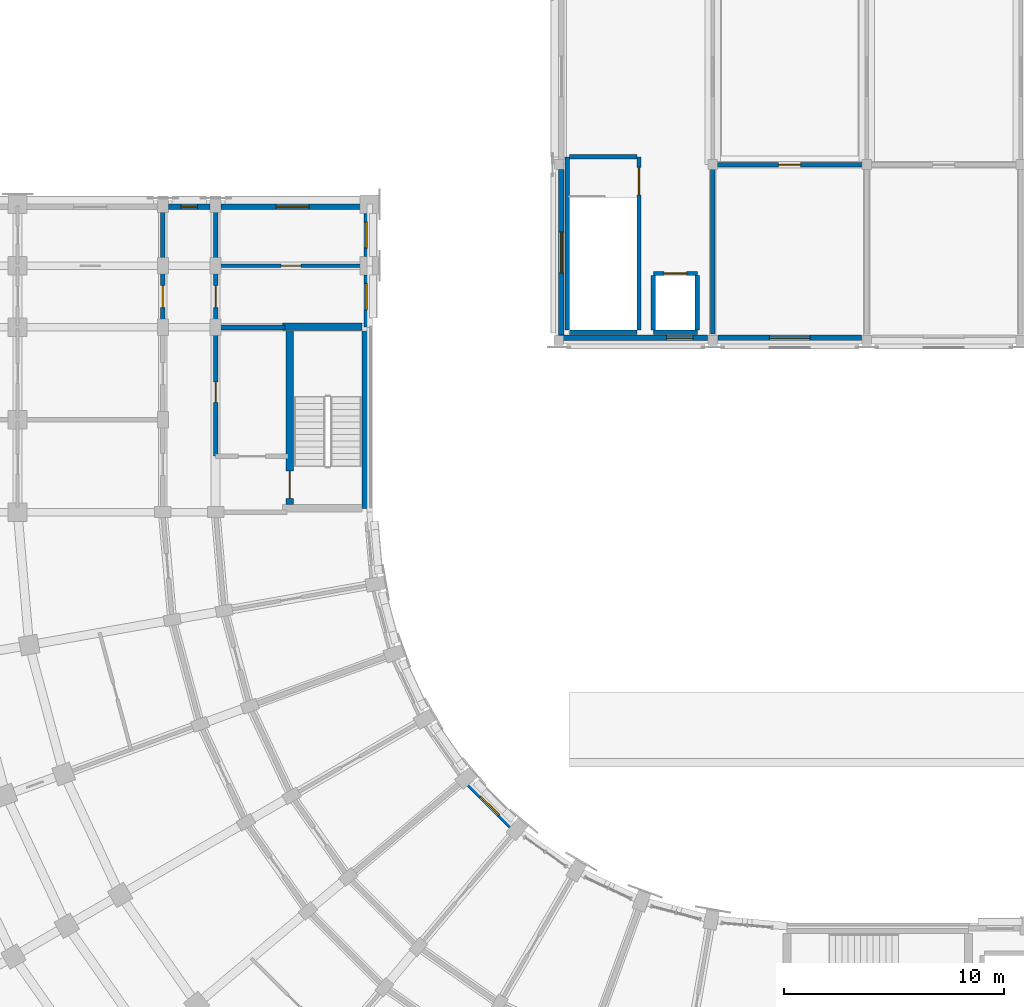
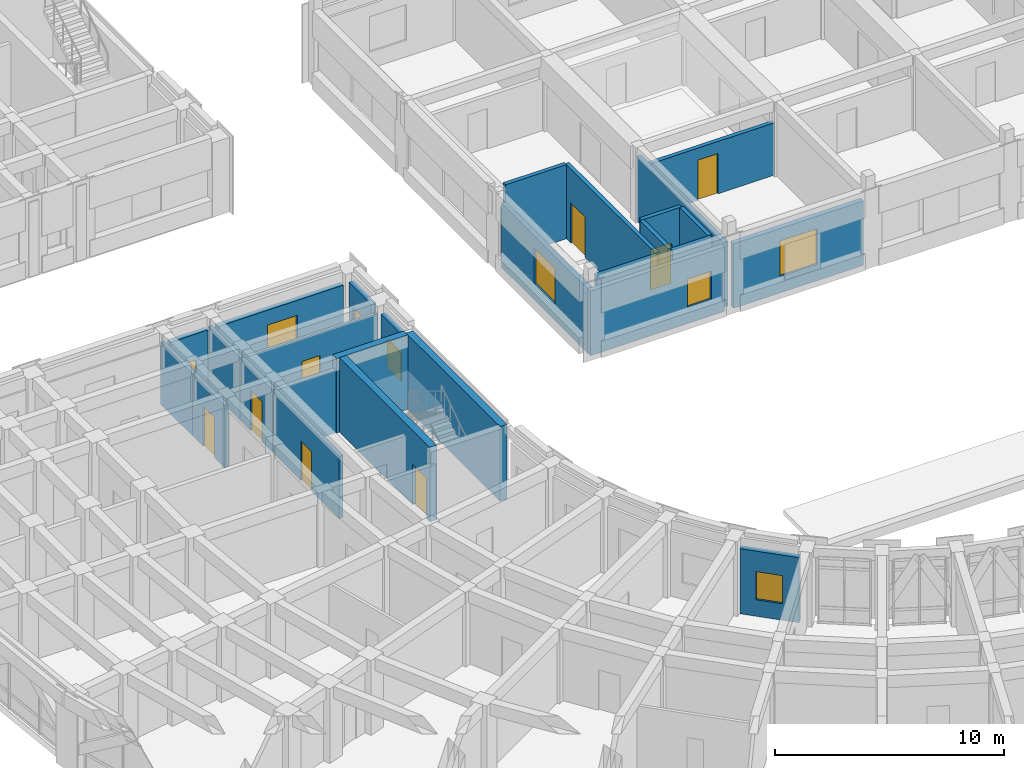
# One storey, part 61 of 97: 28 walls, 8 doors, 8 windows, 16 openings.
"""IFC4 building model written with IfcOpenShell, lengths in metres."""

import ifcopenshell
import ifcopenshell.guid

model = None  # the IFC model being written
_history = None  # IfcOwnerHistory: only IFC2X3 demands one
_inside = {}  # id of a spatial element -> (the spatial element, [elements in it])
_under = {}  # id of a project, library or spatial element -> (it, [spatial elements below it])
_declared = {}  # id of a project -> (the project, [libraries it declares])
_typed = {}  # id of a type object -> (the type object, [elements of that type])
_made_of = {}  # id of a material, layer set ... -> (it, [elements and type objects made of it])


def new_model(schema):
    """Start an empty IFC model of exactly this schema.

    Asked for "IFC4X3", IfcOpenShell would pick the latest addendum, in which some entities
    have other attributes; the version numbers below select the first issue.
    IFC2X3 requires an IfcOwnerHistory on every rooted entity: one is made here for all.
    """
    global model, _history
    if schema == "IFC4X3":
        model = ifcopenshell.file(schema_version=(4, 3, 0, 0))
    else:
        model = ifcopenshell.file(schema=schema)
    _inside.clear()
    _under.clear()
    _declared.clear()
    _typed.clear()
    _made_of.clear()
    _history = None
    if model.schema == "IFC2X3":
        org = make("IfcOrganization", Name="unknown")
        user = make(
            "IfcPersonAndOrganization",
            ThePerson=make("IfcPerson", FamilyName="unknown"),
            TheOrganization=org,
        )
        app = make(
            "IfcApplication",
            ApplicationDeveloper=org,
            Version="unknown",
            ApplicationFullName="unknown",
            ApplicationIdentifier="unknown",
        )
        _history = make(
            "IfcOwnerHistory",
            OwningUser=user,
            OwningApplication=app,
            ChangeAction="ADDED",
            CreationDate=0,
        )
    return model


def make(cls, **values):
    """One entity of the class cls with the attributes given. An attribute that is None is left unset."""
    return model.create_entity(
        cls, **{name: value for name, value in values.items() if value is not None}
    )


def rooted(cls, **values):
    """An entity with a GlobalId (a new one), such as an element, a storey or a relation."""
    return make(cls, GlobalId=ifcopenshell.guid.new(), OwnerHistory=_history, **values)


def si_unit(unit_type, name, prefix=None):
    """IfcSIUnit, for example si_unit("LENGTHUNIT", "METRE", prefix="MILLI")."""
    return make("IfcSIUnit", UnitType=unit_type, Prefix=prefix, Name=name)


def assignment(units):
    """IfcUnitAssignment: the units of a project."""
    return None if units is None else make("IfcUnitAssignment", Units=units)


def point(xyz):
    """IfcCartesianPoint."""
    return None if xyz is None else make("IfcCartesianPoint", Coordinates=xyz)


def direction(xyz):
    """IfcDirection."""
    return None if xyz is None else make("IfcDirection", DirectionRatios=xyz)


def frame(location, z_axis=None, x_axis=None):
    """IfcAxis2Placement3D, a coordinate frame: its origin and axes. An axis left out is left unset."""
    return make(
        "IfcAxis2Placement3D",
        Location=point(location),
        Axis=direction(z_axis),
        RefDirection=direction(x_axis),
    )


def frame_2d(location, x_axis=None):
    """IfcAxis2Placement2D, a coordinate frame in the plane: its origin and x axis."""
    return make(
        "IfcAxis2Placement2D", Location=point(location), RefDirection=direction(x_axis)
    )


def origin():
    """The frame at (0, 0, 0) with its axes left unset."""
    return frame((0.0, 0.0, 0.0))


def place(relative_to, where):
    """IfcLocalPlacement: puts the frame where relative to a parent placement (None: the world)."""
    return make(
        "IfcLocalPlacement", PlacementRelTo=relative_to, RelativePlacement=where
    )


def context(
    kind, dimensions, precision=None, world=None, true_north=None, identifier=None
):
    """IfcGeometricRepresentationContext, for example the 3D "Model" context."""
    return make(
        "IfcGeometricRepresentationContext",
        ContextIdentifier=identifier,
        ContextType=kind,
        CoordinateSpaceDimension=dimensions,
        Precision=precision,
        WorldCoordinateSystem=world,
        TrueNorth=true_north,
    )


def subcontext(parent, identifier, kind, view, scale=None):
    """IfcGeometricRepresentationSubContext, for example "Body" below "Model"."""
    return make(
        "IfcGeometricRepresentationSubContext",
        ContextIdentifier=identifier,
        ContextType=kind,
        ParentContext=parent,
        TargetScale=scale,
        TargetView=view,
    )


def project(units=None, contexts=None):
    """IfcProject with its units and contexts."""
    return rooted(
        "IfcProject",
        Name="project",
        RepresentationContexts=contexts,
        UnitsInContext=assignment(units),
    )


def spatial(cls, under=None, at=None, **own):
    """A site, building, storey or space (cls), placed at a placement, below another one or the project."""
    s = rooted(cls, ObjectPlacement=at, **own)
    if under is not None:
        _under.setdefault(under.id(), (under, []))[1].append(s)
    return s


def profile(cls, at=None, kind="AREA", **sizes):
    """A parametric profile (cls). Its sizes go by their IFC names, for example OverallWidth=200.0."""
    return make(cls, ProfileType=kind, Position=at, **sizes)


def rectangle(**sizes):
    """IfcRectangleProfileDef."""
    return profile("IfcRectangleProfileDef", **sizes)


def extrude(swept, where, along, depth):
    """IfcExtrudedAreaSolid: the profile swept, set in the frame where, extruded along a direction by depth."""
    return make(
        "IfcExtrudedAreaSolid",
        SweptArea=swept,
        Position=where,
        ExtrudedDirection=direction(along),
        Depth=depth,
    )


def shape(context_of_items, identifier, shape_type, items):
    """IfcShapeRepresentation: the items that make up one representation, for example the "Body"."""
    return make(
        "IfcShapeRepresentation",
        ContextOfItems=context_of_items,
        RepresentationIdentifier=identifier,
        RepresentationType=shape_type,
        Items=items,
    )


def material(Name=None, Category=None):
    """IfcMaterial."""
    return make("IfcMaterial", Name=Name, Category=Category)


def layer(
    of_material, thickness, ventilated=None, Name=None, Category=None, Priority=None
):
    """IfcMaterialLayer: one layer of a wall or slab, of a material (None: an air gap)."""
    return make(
        "IfcMaterialLayer",
        Material=of_material,
        LayerThickness=thickness,
        IsVentilated=ventilated,
        Name=Name,
        Category=Category,
        Priority=Priority,
    )


def layer_set(layers, Name=None):
    """IfcMaterialLayerSet."""
    return make("IfcMaterialLayerSet", MaterialLayers=layers, LayerSetName=Name)


def made_of(thing, what):
    """Note that an element or type object is made of a material, layer set ...; save() writes the relation."""
    if what is not None:
        _made_of.setdefault(what.id(), (what, []))[1].append(thing)
    return thing


def type_object(cls, material=None, **own):
    """A type object (cls), such as IfcWallType, which elements share."""
    return made_of(rooted(cls, **own), material)


def element(
    cls,
    number,
    at=None,
    inside=None,
    cuts=None,
    type_object=None,
    material=None,
    context=None,
    identifier="Body",
    shape_type=None,
    held_by="IfcProductDefinitionShape",
    body=None,
    shapes=None,
    **own,
):
    """One element of the class cls, such as IfcWall. Its Tag is "e" and its number.

    at: its placement. inside: the storey or other place that contains it. cuts: it is an
    opening in that element (IfcRelVoidsElement). A single representation is given by context,
    identifier, shape_type and body (its items); several are given by shapes. held_by: the class
    of the entity that holds the representations. save() writes the other relations.
    """
    e = rooted(cls, Tag="e%d" % number, ObjectPlacement=at, **own)
    if body is not None:
        shapes = [shape(context, identifier, shape_type, body)]
    if shapes is not None:
        e.Representation = make(held_by, Representations=shapes)
    if inside is not None:
        _inside.setdefault(inside.id(), (inside, []))[1].append(e)
    if cuts is not None:
        rooted(
            "IfcRelVoidsElement", RelatingBuildingElement=cuts, RelatedOpeningElement=e
        )
    if type_object is not None:
        _typed.setdefault(type_object.id(), (type_object, []))[1].append(e)
    return made_of(e, material)


def fill(opening, filler):
    """IfcRelFillsElement: the door or window that sits in an opening."""
    return rooted(
        "IfcRelFillsElement",
        RelatingOpeningElement=opening,
        RelatedBuildingElement=filler,
    )


def aggregate(whole, parts):
    """IfcRelAggregates: a whole, such as a stair, and the parts it consists of."""
    return rooted("IfcRelAggregates", RelatingObject=whole, RelatedObjects=parts)


def save(model, path):
    """Write the relations noted so far, then the file.

    IfcRelAggregates (storeys below a building ...), IfcRelContainedInSpatialStructure (elements
    in a storey), IfcRelDefinesByType, IfcRelAssociatesMaterial and IfcRelDeclares: one each for
    every whole, place, type object, material and project.
    """
    for whole, parts in _under.values():
        aggregate(whole, parts)
    for where, things in _inside.values():
        rooted(
            "IfcRelContainedInSpatialStructure",
            RelatedElements=things,
            RelatingStructure=where,
        )
    for kind, things in _typed.values():
        rooted("IfcRelDefinesByType", RelatedObjects=things, RelatingType=kind)
    for what, things in _made_of.values():
        rooted("IfcRelAssociatesMaterial", RelatedObjects=things, RelatingMaterial=what)
    for by, libraries in _declared.values():
        rooted("IfcRelDeclares", RelatingContext=by, RelatedDefinitions=libraries)
    model.write(path)


model = new_model("IFC4")

# Units and contexts
model_context = context("Model", 3, precision=1e-05, world=origin(), true_north=direction((0.0, 1.0)))
body_context = subcontext(model_context, "Body", "Model", "MODEL_VIEW")
ifc_project = project(units=[si_unit("LENGTHUNIT", "METRE"), si_unit("AREAUNIT", "SQUARE_METRE"), si_unit("VOLUMEUNIT", "CUBIC_METRE"), si_unit("PLANEANGLEUNIT", "RADIAN"), si_unit("MASSUNIT", "GRAM", prefix="KILO")], contexts=[model_context])

# Site, building, storey
site_placement = place(None, origin())
site = spatial("IfcSite", under=ifc_project, at=site_placement, CompositionType="ELEMENT")
building_placement = place(site_placement, origin())
building = spatial("IfcBuilding", under=site, at=building_placement, Name="Kiranvali Square Residences", CompositionType="ELEMENT")
storey_placement = place(building_placement, frame((0.0, 0.0, 4.5)))
storey = spatial("IfcBuildingStorey", under=building, at=storey_placement, Name="L01", CompositionType="ELEMENT", Elevation=4.5)

# Wall, opening, door
ifc_material_1 = material(Name="Autoclaved aerated concrete blockwork masonry", Category="masonry")
ifc_layer_1 = layer(ifc_material_1, 0.199951171875)
ifc_layer_set_1 = layer_set([ifc_layer_1], Name="Autoclaved aerated concrete blockwork masonry")
wall_type_1 = type_object("IfcWallType", Name="WL-COR-200", PredefinedType="STANDARD", material=ifc_layer_set_1)
wall_1_placement = place(storey_placement, frame((22.39990234375, 50.75, 0.0), z_axis=(0.0, 0.0, 1.0), x_axis=(0.0, 1.0, 0.0)))
wall_1 = element("IfcWall", 1, at=wall_1_placement, inside=storey, type_object=wall_type_1, Name="L01 architectural wall WL-L01-C-S3-COR", PredefinedType="STANDARD", context=body_context, shape_type="SweptSolid", body=[
    extrude(rectangle(XDim=5.800048828125, YDim=0.199951171875, at=frame_2d((2.89990234375, 0.0))), origin(), (0.0, 0.0, 1.0), 3.322021484375),
])
opening_1_placement = place(wall_1_placement, frame((2.43994140625, 0.0, 0.0)))
opening_1 = element("IfcOpeningElement", 2, at=opening_1_placement, cuts=wall_1, Name="Opening FD-SVC-120", PredefinedType="OPENING", context=body_context, shape_type="SweptSolid", body=[
    extrude(rectangle(XDim=0.919921875, YDim=2.10009765625, at=frame_2d((0.4599609375, 1.050048828125))), frame((0.0, 0.10986328125, 0.0), z_axis=(0.0, -1.0, 0.0), x_axis=(1.0, 0.0, 0.0)), (0.0, 0.0, 1.0), 0.219970703125),
])
ifc_material_2 = material(Name="Fire-rated acoustic hardwood and mineral-core door assembly", Category="wood")
door_type_1 = type_object("IfcDoorType", Name="DR-SVC-900", OperationType="NOTDEFINED", PredefinedType="DOOR", material=ifc_material_2)
door_1_placement = place(opening_1_placement, origin())
door_1 = element("IfcDoor", 3, at=door_1_placement, inside=storey, type_object=door_type_1, Name="L01 door DR-L01-1797 (DR-SVC-900)", OperationType="SINGLE_SWING_LEFT", OverallHeight=2.10009765625, OverallWidth=0.919921875, PredefinedType="DOOR", context=body_context, shape_type="SweptSolid", body=[
    extrude(rectangle(XDim=0.919921875, YDim=2.10009765625, at=frame_2d((0.4599609375, 1.050048828125))), frame((0.0, 0.02490234375, 0.0), z_axis=(0.0, -1.0, 0.0), x_axis=(1.0, 0.0, 0.0)), (0.0, 0.0, 1.0), 0.050048828125),
])
fill(opening_1, door_1)

wall_2_placement = place(storey_placement, frame((22.39990234375, 56.60009765625, 0.0), z_axis=(0.0, 0.0, 1.0), x_axis=(0.0, 1.0, 0.0)))
wall_2 = element("IfcWall", 4, at=wall_2_placement, inside=storey, type_object=wall_type_1, Name="L01 architectural wall WL-L01-C-A2CI-0", PredefinedType="STANDARD", context=body_context, shape_type="SweptSolid", body=[
    extrude(rectangle(XDim=2.7998046875, YDim=0.199951171875, at=frame_2d((1.39990234375, 0.0))), origin(), (0.0, 0.0, 1.0), 3.322021484375),
])
opening_2_placement = place(wall_2_placement, frame((0.89990234375, 0.0, 0.0)))
opening_2 = element("IfcOpeningElement", 5, at=opening_2_placement, cuts=wall_2, Name="Opening FD-APT-60", PredefinedType="OPENING", context=body_context, shape_type="SweptSolid", body=[
    extrude(rectangle(XDim=1.0, YDim=2.14990234375, at=frame_2d((0.5, 1.074951171875))), frame((0.0, 0.10986328125, 0.0), z_axis=(0.0, -1.0, 0.0), x_axis=(1.0, 0.0, 0.0)), (0.0, 0.0, 1.0), 0.219970703125),
])
door_type_2 = type_object("IfcDoorType", Name="DR-APT-1000", OperationType="NOTDEFINED", PredefinedType="DOOR", material=ifc_material_2)
door_2_placement = place(opening_2_placement, origin())
door_2 = element("IfcDoor", 6, at=door_2_placement, inside=storey, type_object=door_type_2, Name="L01 door DR-L01-1839 (DR-APT-1000)", OperationType="SINGLE_SWING_LEFT", OverallHeight=2.14990234375, OverallWidth=1.0, PredefinedType="DOOR", context=body_context, shape_type="SweptSolid", body=[
    extrude(rectangle(XDim=1.0, YDim=2.14990234375, at=frame_2d((0.5, 1.074951171875))), frame((0.0, 0.02490234375, 0.0), z_axis=(0.0, -1.0, 0.0), x_axis=(1.0, 0.0, 0.0)), (0.0, 0.0, 1.0), 0.050048828125),
])
fill(opening_2, door_2)

wall_3_placement = place(storey_placement, frame((20.0, 56.60009765625, 0.0), z_axis=(0.0, 0.0, 1.0), x_axis=(0.0, 1.0, 0.0)))
wall_3 = element("IfcWall", 7, at=wall_3_placement, inside=storey, type_object=wall_type_1, Name="L01 architectural wall WL-L01-C-A2CO-0", PredefinedType="STANDARD", context=body_context, shape_type="SweptSolid", body=[
    extrude(rectangle(XDim=2.7998046875, YDim=0.199951171875, at=frame_2d((1.39990234375, 0.0))), origin(), (0.0, 0.0, 1.0), 3.322021484375),
])
opening_3_placement = place(wall_3_placement, frame((0.89990234375, 0.0, 0.0)))
opening_3 = element("IfcOpeningElement", 8, at=opening_3_placement, cuts=wall_3, Name="Opening FD-APT-60", PredefinedType="OPENING", context=body_context, shape_type="SweptSolid", body=[
    extrude(rectangle(XDim=1.0, YDim=2.14990234375, at=frame_2d((0.5, 1.074951171875))), frame((0.0, 0.10986328125, 0.0), z_axis=(0.0, -1.0, 0.0), x_axis=(1.0, 0.0, 0.0)), (0.0, 0.0, 1.0), 0.219970703125),
])
door_3_placement = place(opening_3_placement, origin())
door_3 = element("IfcDoor", 9, at=door_3_placement, inside=storey, type_object=door_type_2, Name="L01 door DR-L01-1841 (DR-APT-1000)", OperationType="SINGLE_SWING_LEFT", OverallHeight=2.14990234375, OverallWidth=1.0, PredefinedType="DOOR", context=body_context, shape_type="SweptSolid", body=[
    extrude(rectangle(XDim=1.0, YDim=2.14990234375, at=frame_2d((0.5, 1.074951171875))), frame((0.0, 0.02490234375, 0.0), z_axis=(0.0, -1.0, 0.0), x_axis=(1.0, 0.0, 0.0)), (0.0, 0.0, 1.0), 0.050048828125),
])
fill(opening_3, door_3)

# Walls
for number, where, z_axis, x_axis, name in (
    (10, (22.39990234375, 59.39990234375, 0.0), (0.0, 0.0, 1.0), (0.0, 1.0, 0.0), "L01 architectural wall WL-L01-C-A2CI-1"),
    (11, (20.0, 59.39990234375, 0.0), (0.0, 0.0, 1.0), (0.0, 1.0, 0.0), "L01 architectural wall WL-L01-C-A2CO-1"),
):
    element("IfcWall", number, at=place(storey_placement, frame(where, z_axis=z_axis, x_axis=x_axis)), inside=storey, type_object=wall_type_1, Name=name, PredefinedType="STANDARD", context=body_context, shape_type="SweptSolid", body=[
        extrude(rectangle(XDim=2.800048828125, YDim=0.199951171875, at=frame_2d((1.39990234375, 0.0))), origin(), (0.0, 0.0, 1.0), 3.322021484375),
    ])

# Wall, opening, door
wall_4_placement = place(storey_placement, frame((45.14990234375, 64.0, 0.0), z_axis=(0.0, 0.0, 1.0), x_axis=(1.0, 0.0, 0.0)))
wall_4 = element("IfcWall", 12, at=wall_4_placement, inside=storey, type_object=wall_type_1, Name="L01 architectural wall WL-NR-L01-Y0-1", PredefinedType="STANDARD", context=body_context, shape_type="SweptSolid", body=[
    extrude(rectangle(XDim=6.7001953125, YDim=0.199951171875, at=frame_2d((3.35009765625, 0.0))), origin(), (0.0, 0.0, 1.0), 2.7919921875),
])
opening_4_placement = place(wall_4_placement, frame((2.85009765625, 0.0, 0.0)))
opening_4 = element("IfcOpeningElement", 13, at=opening_4_placement, cuts=wall_4, Name="Opening FD-APT-60", PredefinedType="OPENING", context=body_context, shape_type="SweptSolid", body=[
    extrude(rectangle(XDim=1.0, YDim=2.14990234375, at=frame_2d((0.5, 1.074951171875))), frame((0.0, 0.10986328125, 0.0), z_axis=(0.0, -1.0, 0.0), x_axis=(1.0, 0.0, 0.0)), (0.0, 0.0, 1.0), 0.219970703125),
])
door_4_placement = place(opening_4_placement, frame((1.0, 0.0, 0.0), z_axis=(0.0, 0.0, 1.0), x_axis=(-1.0, 0.0, 0.0)))
door_4 = element("IfcDoor", 14, at=door_4_placement, inside=storey, type_object=door_type_2, Name="L01 door DR-L01-2322 (DR-APT-1000)", OperationType="SINGLE_SWING_RIGHT", OverallHeight=2.14990234375, OverallWidth=1.0, PredefinedType="DOOR", context=body_context, shape_type="SweptSolid", body=[
    extrude(rectangle(XDim=1.0, YDim=2.14990234375, at=frame_2d((0.5, 1.074951171875))), frame((0.0, 0.02490234375, 0.0), z_axis=(0.0, -1.0, 0.0), x_axis=(1.0, 0.0, 0.0)), (0.0, 0.0, 1.0), 0.050048828125),
])
fill(opening_4, door_4)

# Walls
ifc_layer_2 = layer(ifc_material_1, 0.219970703125)
ifc_layer_set_2 = layer_set([ifc_layer_2], Name="Autoclaved aerated concrete blockwork masonry")
wall_type_2 = type_object("IfcWallType", Name="WL-DEM-220", PredefinedType="STANDARD", material=ifc_layer_set_2)
wall_5_placement = place(storey_placement, frame((25.550048828125, 56.60009765625, 0.0), z_axis=(0.0, 0.0, 1.0), x_axis=(-1.0, 0.0, 0.0)))
element("IfcWall", 15, at=wall_5_placement, inside=storey, type_object=wall_type_2, Name="L01 architectural wall WL-L01-C-A2TI-0", PredefinedType="STANDARD", context=body_context, shape_type="SweptSolid", body=[
    extrude(rectangle(XDim=3.10009765625, YDim=0.219970703125, at=frame_2d((1.550048828125, 0.0))), origin(), (0.0, 0.0, 1.0), 3.322021484375),
])
wall_6_placement = place(storey_placement, frame((45.0, 56.300048828125, 0.0), z_axis=(0.0, 0.0, 1.0), x_axis=(0.0, 1.0, 0.0)))
element("IfcWall", 16, at=wall_6_placement, inside=storey, type_object=wall_type_2, Name="L01 architectural wall WL-NR-L01-X1-S", PredefinedType="STANDARD", context=body_context, shape_type="SweptSolid", body=[
    extrude(rectangle(XDim=7.599853515625, YDim=0.219970703125, at=frame_2d((3.7998046875, 0.0))), origin(), (0.0, 0.0, 1.0), 3.44189453125),
])

# Wall, opening, window
ifc_material_3 = material(Name="Breathable lime-rendered clay brick masonry", Category="masonry")
ifc_layer_3 = layer(ifc_material_3, 0.25)
ifc_layer_set_3 = layer_set([ifc_layer_3], Name="Breathable lime-rendered clay brick masonry")
wall_type_3 = type_object("IfcWallType", Name="WL-EXT-250", PredefinedType="STANDARD", material=ifc_layer_set_3)
wall_7_placement = place(storey_placement, frame((35.8125, 33.9248046875, 0.0), z_axis=(0.0, 0.0, 1.0), x_axis=(-0.707106781187, 0.707106781187, 0.0)))
wall_7 = element("IfcWall", 17, at=wall_7_placement, inside=storey, type_object=wall_type_3, Name="L01 exterior wall C-L01-GDN-04", PredefinedType="STANDARD", context=body_context, shape_type="SweptSolid", body=[
    extrude(rectangle(XDim=2.669677734375, YDim=0.25, at=frame_2d((1.3349609375, 0.0))), origin(), (0.0, 0.0, 1.0), 3.471923828125),
])
opening_5_placement = place(wall_7_placement, frame((0.73486328125, 0.0, 0.8798828125)))
opening_5 = element("IfcOpeningElement", 18, at=opening_5_placement, cuts=wall_7, Name="Opening W-06", PredefinedType="OPENING", context=body_context, shape_type="SweptSolid", body=[
    extrude(rectangle(XDim=1.199951171875, YDim=1.5, at=frame_2d((0.60009765625, 0.75))), frame((0.0, 0.135009765625, 0.0), z_axis=(0.0, -1.0, 0.0), x_axis=(1.0, 0.0, 0.0)), (0.0, 0.0, 1.0), 0.27001953125),
])
ifc_material_4 = material(Name="Solar-control low-e double glazing", Category="glass")
window_type_1 = type_object("IfcWindowType", Name="WIN-RES-1200x1500", PartitioningType="SINGLE_PANEL", PredefinedType="WINDOW", material=ifc_material_4)
window_1_placement = place(opening_5_placement, origin())
window_1 = element("IfcWindow", 19, at=window_1_placement, inside=storey, type_object=window_type_1, Name="L01 recessed window C-L01-GDN-04", OverallHeight=1.5, OverallWidth=1.199951171875, PartitioningType="SINGLE_PANEL", PredefinedType="WINDOW", context=body_context, shape_type="SweptSolid", body=[
    extrude(rectangle(XDim=1.199951171875, YDim=1.5, at=frame_2d((0.60009765625, 0.75))), frame((0.0, 0.030029296875, 0.0), z_axis=(0.0, -1.0, 0.0), x_axis=(1.0, 0.0, 0.0)), (0.0, 0.0, 1.0), 0.06005859375),
])
fill(opening_5, window_1)

wall_8_placement = place(storey_placement, frame((29.27490234375, 56.62841796875, 0.0), z_axis=(0.0, 0.0, 1.0), x_axis=(0.0, 1.0, 0.0)))
wall_8 = element("IfcWall", 20, at=wall_8_placement, inside=storey, type_object=wall_type_3, Name="L01 exterior wall C-L01-A2I-0", PredefinedType="STANDARD", context=body_context, shape_type="SweptSolid", body=[
    extrude(rectangle(XDim=2.3515625, YDim=0.25, at=frame_2d((1.17578125, 0.0))), origin(), (0.0, 0.0, 1.0), 3.52197265625),
])
opening_6_placement = place(wall_8_placement, frame((0.771484375, 0.0, 0.8798828125)))
opening_6 = element("IfcOpeningElement", 21, at=opening_6_placement, cuts=wall_8, Name="Opening W-06", PredefinedType="OPENING", context=body_context, shape_type="SweptSolid", body=[
    extrude(rectangle(XDim=1.199951171875, YDim=1.5, at=frame_2d((0.60009765625, 0.75))), frame((0.0, 0.135009765625, 0.0), z_axis=(0.0, -1.0, 0.0), x_axis=(1.0, 0.0, 0.0)), (0.0, 0.0, 1.0), 0.27001953125),
])
window_2_placement = place(opening_6_placement, origin())
window_2 = element("IfcWindow", 22, at=window_2_placement, inside=storey, type_object=window_type_1, Name="L01 recessed window C-L01-A2I-0", OverallHeight=1.5, OverallWidth=1.199951171875, PartitioningType="SINGLE_PANEL", PredefinedType="WINDOW", context=body_context, shape_type="SweptSolid", body=[
    extrude(rectangle(XDim=1.199951171875, YDim=1.5, at=frame_2d((0.60009765625, 0.75))), frame((0.0, 0.030029296875, 0.0), z_axis=(0.0, -1.0, 0.0), x_axis=(1.0, 0.0, 0.0)), (0.0, 0.0, 1.0), 0.06005859375),
])
fill(opening_6, window_2)

wall_9_placement = place(storey_placement, frame((29.27490234375, 59.820068359375, 0.0), z_axis=(0.0, 0.0, 1.0), x_axis=(0.0, 1.0, 0.0)))
wall_9 = element("IfcWall", 23, at=wall_9_placement, inside=storey, type_object=wall_type_3, Name="L01 exterior wall C-L01-A2I-1", PredefinedType="STANDARD", context=body_context, shape_type="SweptSolid", body=[
    extrude(rectangle(XDim=1.9599609375, YDim=0.25, at=frame_2d((0.97998046875, 0.0))), origin(), (0.0, 0.0, 1.0), 3.52197265625),
])
opening_7_placement = place(wall_9_placement, frame((0.3798828125, 0.0, 0.8798828125)))
opening_7 = element("IfcOpeningElement", 24, at=opening_7_placement, cuts=wall_9, Name="Opening W-06", PredefinedType="OPENING", context=body_context, shape_type="SweptSolid", body=[
    extrude(rectangle(XDim=1.199951171875, YDim=1.5, at=frame_2d((0.60009765625, 0.75))), frame((0.0, 0.135009765625, 0.0), z_axis=(0.0, -1.0, 0.0), x_axis=(1.0, 0.0, 0.0)), (0.0, 0.0, 1.0), 0.27001953125),
])
window_3_placement = place(opening_7_placement, origin())
window_3 = element("IfcWindow", 25, at=window_3_placement, inside=storey, type_object=window_type_1, Name="L01 recessed window C-L01-A2I-1", OverallHeight=1.5, OverallWidth=1.199951171875, PartitioningType="SINGLE_PANEL", PredefinedType="WINDOW", context=body_context, shape_type="SweptSolid", body=[
    extrude(rectangle(XDim=1.199951171875, YDim=1.5, at=frame_2d((0.60009765625, 0.75))), frame((0.0, 0.030029296875, 0.0), z_axis=(0.0, -1.0, 0.0), x_axis=(1.0, 0.0, 0.0)), (0.0, 0.0, 1.0), 0.06005859375),
])
fill(opening_7, window_3)

wall_10_placement = place(storey_placement, frame((28.97998046875, 62.074951171875, 0.0), z_axis=(0.0, 0.0, 1.0), x_axis=(-1.0, 0.0, 0.0)))
wall_10 = element("IfcWall", 26, at=wall_10_placement, inside=storey, type_object=wall_type_3, Name="L01 exterior wall C-L01-A2END-0", PredefinedType="STANDARD", context=body_context, shape_type="SweptSolid", body=[
    extrude(rectangle(XDim=6.326416015625, YDim=0.25, at=frame_2d((3.1630859375, 0.0))), origin(), (0.0, 0.0, 1.0), 3.322021484375),
])
opening_8_placement = place(wall_10_placement, frame((2.330078125, 0.0, 0.8798828125)))
opening_8 = element("IfcOpeningElement", 27, at=opening_8_placement, cuts=wall_10, Name="Opening W-05", PredefinedType="OPENING", context=body_context, shape_type="SweptSolid", body=[
    extrude(rectangle(XDim=1.5, YDim=1.64990234375, at=frame_2d((0.75, 0.824951171875))), frame((0.0, 0.135009765625, 0.0), z_axis=(0.0, -1.0, 0.0), x_axis=(1.0, 0.0, 0.0)), (0.0, 0.0, 1.0), 0.27001953125),
])
window_type_2 = type_object("IfcWindowType", Name="WIN-RES-1500x1650", PartitioningType="DOUBLE_PANEL_VERTICAL", PredefinedType="WINDOW", material=ifc_material_4)
window_4_placement = place(opening_8_placement, origin())
window_4 = element("IfcWindow", 28, at=window_4_placement, inside=storey, type_object=window_type_2, Name="L01 recessed window C-L01-A2END-0", OverallHeight=1.64990234375, OverallWidth=1.5, PartitioningType="DOUBLE_PANEL_VERTICAL", PredefinedType="WINDOW", context=body_context, shape_type="SweptSolid", body=[
    extrude(rectangle(XDim=1.5, YDim=1.64990234375, at=frame_2d((0.75, 0.824951171875))), frame((0.0, 0.030029296875, 0.0), z_axis=(0.0, -1.0, 0.0), x_axis=(1.0, 0.0, 0.0)), (0.0, 0.0, 1.0), 0.06005859375),
])
fill(opening_8, window_4)

wall_11_placement = place(storey_placement, frame((22.146484375, 62.074951171875, 0.0), z_axis=(0.0, 0.0, 1.0), x_axis=(-1.0, 0.0, 0.0)))
wall_11 = element("IfcWall", 29, at=wall_11_placement, inside=storey, type_object=wall_type_3, Name="L01 exterior wall C-L01-A2END-1", PredefinedType="STANDARD", context=body_context, shape_type="SweptSolid", body=[
    extrude(rectangle(XDim=1.89306640625, YDim=0.25, at=frame_2d((0.946533203125, 0.0))), origin(), (0.0, 0.0, 1.0), 3.322021484375),
])
opening_9_placement = place(wall_11_placement, frame((0.571533203125, 0.0, 0.8798828125)))
opening_9 = element("IfcOpeningElement", 30, at=opening_9_placement, cuts=wall_11, Name="Opening W-07", PredefinedType="OPENING", context=body_context, shape_type="SweptSolid", body=[
    extrude(rectangle(XDim=0.75, YDim=1.050048828125, at=frame_2d((0.375, 0.52490234375))), frame((0.0, 0.135009765625, 0.0), z_axis=(0.0, -1.0, 0.0), x_axis=(1.0, 0.0, 0.0)), (0.0, 0.0, 1.0), 0.27001953125),
])
window_type_3 = type_object("IfcWindowType", Name="WIN-WET-750x1050", PartitioningType="SINGLE_PANEL", PredefinedType="WINDOW", material=ifc_material_4)
window_5_placement = place(opening_9_placement, origin())
window_5 = element("IfcWindow", 31, at=window_5_placement, inside=storey, type_object=window_type_3, Name="L01 recessed window C-L01-A2END-1", OverallHeight=1.050048828125, OverallWidth=0.75, PartitioningType="SINGLE_PANEL", PredefinedType="WINDOW", context=body_context, shape_type="SweptSolid", body=[
    extrude(rectangle(XDim=0.75, YDim=1.050048828125, at=frame_2d((0.375, 0.52490234375))), frame((0.0, 0.030029296875, 0.0), z_axis=(0.0, -1.0, 0.0), x_axis=(1.0, 0.0, 0.0)), (0.0, 0.0, 1.0), 0.06005859375),
])
fill(opening_9, window_5)

wall_12_placement = place(storey_placement, frame((38.0, 56.125, 0.0), z_axis=(0.0, 0.0, 1.0), x_axis=(1.0, 0.0, 0.0)))
wall_12 = element("IfcWall", 32, at=wall_12_placement, inside=storey, type_object=wall_type_3, Name="L01 exterior wall NR-L01-S-0", PredefinedType="STANDARD", context=body_context, shape_type="SweptSolid", body=[
    extrude(rectangle(XDim=6.771484375, YDim=0.25, at=frame_2d((3.3857421875, 0.0))), origin(), (0.0, 0.0, 1.0), 3.44189453125),
])
opening_10_placement = place(wall_12_placement, frame((4.89990234375, 0.0, 0.8798828125)))
opening_10 = element("IfcOpeningElement", 33, at=opening_10_placement, cuts=wall_12, Name="Opening W-06", PredefinedType="OPENING", context=body_context, shape_type="SweptSolid", body=[
    extrude(rectangle(XDim=1.199951171875, YDim=1.5, at=frame_2d((0.60009765625, 0.75))), frame((0.0, 0.135009765625, 0.0), z_axis=(0.0, -1.0, 0.0), x_axis=(1.0, 0.0, 0.0)), (0.0, 0.0, 1.0), 0.27001953125),
])
window_6_placement = place(opening_10_placement, origin())
window_6 = element("IfcWindow", 34, at=window_6_placement, inside=storey, type_object=window_type_1, Name="L01 recessed window NR-L01-S-0", OverallHeight=1.5, OverallWidth=1.199951171875, PartitioningType="SINGLE_PANEL", PredefinedType="WINDOW", context=body_context, shape_type="SweptSolid", body=[
    extrude(rectangle(XDim=1.199951171875, YDim=1.5, at=frame_2d((0.60009765625, 0.75))), frame((0.0, 0.030029296875, 0.0), z_axis=(0.0, -1.0, 0.0), x_axis=(1.0, 0.0, 0.0)), (0.0, 0.0, 1.0), 0.06005859375),
])
fill(opening_10, window_6)

wall_13_placement = place(storey_placement, frame((45.228515625, 56.125, 0.0), z_axis=(0.0, 0.0, 1.0), x_axis=(1.0, 0.0, 0.0)))
wall_13 = element("IfcWall", 35, at=wall_13_placement, inside=storey, type_object=wall_type_3, Name="L01 exterior wall NR-L01-S-1", PredefinedType="STANDARD", context=body_context, shape_type="SweptSolid", body=[
    extrude(rectangle(XDim=6.54296875, YDim=0.25, at=frame_2d((3.271484375, 0.0))), origin(), (0.0, 0.0, 1.0), 3.44189453125),
])
opening_11_placement = place(wall_13_placement, frame((2.346435546875, 0.0, 0.8798828125)))
opening_11 = element("IfcOpeningElement", 36, at=opening_11_placement, cuts=wall_13, Name="Opening W-22", PredefinedType="OPENING", context=body_context, shape_type="SweptSolid", body=[
    extrude(rectangle(XDim=1.85009765625, YDim=1.89990234375, at=frame_2d((0.925048828125, 0.949951171875))), frame((0.0, 0.135009765625, 0.0), z_axis=(0.0, -1.0, 0.0), x_axis=(1.0, 0.0, 0.0)), (0.0, 0.0, 1.0), 0.27001953125),
])
window_type_4 = type_object("IfcWindowType", Name="WIN-PAV-1850x1900", PartitioningType="DOUBLE_PANEL_VERTICAL", PredefinedType="WINDOW", material=ifc_material_4)
window_7_placement = place(opening_11_placement, origin())
window_7 = element("IfcWindow", 37, at=window_7_placement, inside=storey, type_object=window_type_4, Name="L01 recessed window NR-L01-S-1", OverallHeight=1.89990234375, OverallWidth=1.85009765625, PartitioningType="DOUBLE_PANEL_VERTICAL", PredefinedType="WINDOW", context=body_context, shape_type="SweptSolid", body=[
    extrude(rectangle(XDim=1.85009765625, YDim=1.89990234375, at=frame_2d((0.925048828125, 0.949951171875))), frame((0.0, 0.030029296875, 0.0), z_axis=(0.0, -1.0, 0.0), x_axis=(1.0, 0.0, 0.0)), (0.0, 0.0, 1.0), 0.06005859375),
])
fill(opening_11, window_7)

wall_14_placement = place(storey_placement, frame((38.125, 56.2529296875, 0.0), z_axis=(0.0, 0.0, 1.0), x_axis=(0.0, 1.0, 0.0)))
wall_14 = element("IfcWall", 38, at=wall_14_placement, inside=storey, type_object=wall_type_3, Name="L01 exterior wall NR-L01-W-0", PredefinedType="STANDARD", context=body_context, shape_type="SweptSolid", body=[
    extrude(rectangle(XDim=7.5185546875, YDim=0.25, at=frame_2d((3.75927734375, 0.0))), origin(), (0.0, 0.0, 1.0), 3.44189453125),
])
opening_12_placement = place(wall_14_placement, frame((2.822021484375, 0.0, 0.8798828125)))
opening_12 = element("IfcOpeningElement", 39, at=opening_12_placement, cuts=wall_14, Name="Opening W-22", PredefinedType="OPENING", context=body_context, shape_type="SweptSolid", body=[
    extrude(rectangle(XDim=1.85009765625, YDim=1.89990234375, at=frame_2d((0.925048828125, 0.949951171875))), frame((0.0, 0.135009765625, 0.0), z_axis=(0.0, -1.0, 0.0), x_axis=(1.0, 0.0, 0.0)), (0.0, 0.0, 1.0), 0.27001953125),
])
window_8_placement = place(opening_12_placement, origin())
window_8 = element("IfcWindow", 40, at=window_8_placement, inside=storey, type_object=window_type_4, Name="L01 recessed window NR-L01-W-0", OverallHeight=1.89990234375, OverallWidth=1.85009765625, PartitioningType="DOUBLE_PANEL_VERTICAL", PredefinedType="WINDOW", context=body_context, shape_type="SweptSolid", body=[
    extrude(rectangle(XDim=1.85009765625, YDim=1.89990234375, at=frame_2d((0.925048828125, 0.949951171875))), frame((0.0, 0.030029296875, 0.0), z_axis=(0.0, -1.0, 0.0), x_axis=(1.0, 0.0, 0.0)), (0.0, 0.0, 1.0), 0.06005859375),
])
fill(opening_12, window_8)

# Wall, opening, door
ifc_material_5 = material(Name="Acoustic gypsum board drylined partition", Category="gypsum")
ifc_layer_4 = layer(ifc_material_5, 0.14990234375)
ifc_layer_set_4 = layer_set([ifc_layer_4], Name="Acoustic gypsum board drylined partition")
wall_type_4 = type_object("IfcWallType", Name="WL-PRT-150", PredefinedType="PARTITIONING", material=ifc_layer_set_4)
wall_15_placement = place(storey_placement, frame((29.199951171875, 59.39990234375, 0.0), z_axis=(0.0, 0.0, 1.0), x_axis=(-1.0, 0.0, 0.0)))
wall_15 = element("IfcWall", 41, at=wall_15_placement, inside=storey, type_object=wall_type_4, Name="L01 architectural wall WL-L01-C-A2TI-1", PredefinedType="PARTITIONING", context=body_context, shape_type="SweptSolid", body=[
    extrude(rectangle(XDim=6.75, YDim=0.14990234375, at=frame_2d((3.375, 0.0))), origin(), (0.0, 0.0, 1.0), 3.322021484375),
])
opening_13_placement = place(wall_15_placement, frame((2.925048828125, 0.0, 0.0)))
opening_13 = element("IfcOpeningElement", 42, at=opening_13_placement, cuts=wall_15, Name="Opening ID-1", PredefinedType="OPENING", context=body_context, shape_type="SweptSolid", body=[
    extrude(rectangle(XDim=0.89990234375, YDim=2.10009765625, at=frame_2d((0.449951171875, 1.050048828125))), frame((0.0, 0.0849609375, 0.0), z_axis=(0.0, -1.0, 0.0), x_axis=(1.0, 0.0, 0.0)), (0.0, 0.0, 1.0), 0.169921875),
])
ifc_material_6 = material(Name="Solid seasoned teak hardwood joinery", Category="wood")
door_type_3 = type_object("IfcDoorType", Name="DR-INT-900", OperationType="NOTDEFINED", PredefinedType="DOOR", material=ifc_material_6)
door_5_placement = place(opening_13_placement, origin())
door_5 = element("IfcDoor", 43, at=door_5_placement, inside=storey, type_object=door_type_3, Name="L01 door DR-L01-1843 (DR-INT-900)", OperationType="SINGLE_SWING_LEFT", OverallHeight=2.10009765625, OverallWidth=0.89990234375, PredefinedType="DOOR", context=body_context, shape_type="SweptSolid", body=[
    extrude(rectangle(XDim=0.89990234375, YDim=2.10009765625, at=frame_2d((0.449951171875, 1.050048828125))), frame((0.0, 0.02490234375, 0.0), z_axis=(0.0, -1.0, 0.0), x_axis=(1.0, 0.0, 0.0)), (0.0, 0.0, 1.0), 0.050048828125),
])
fill(opening_13, door_5)

# Walls
ifc_layer_5 = layer(ifc_material_1, 0.199951171875)
ifc_layer_set_5 = layer_set([ifc_layer_5], Name="Autoclaved aerated concrete blockwork masonry")
wall_type_5 = type_object("IfcWallType", Name="WL-SHF-200", PredefinedType="STANDARD", material=ifc_layer_set_5)
wall_16_placement = place(storey_placement, frame((38.3798828125, 56.47998046875, 0.0), z_axis=(0.0, 0.0, 1.0), x_axis=(0.0, 1.0, 0.0)))
element("IfcWall", 44, at=wall_16_placement, inside=storey, type_object=wall_type_5, Name="L01 architectural wall WL-NR-L01-S1W", PredefinedType="STANDARD", context=body_context, shape_type="SweptSolid", body=[
    extrude(rectangle(XDim=7.8701171875, YDim=0.199951171875, at=frame_2d((3.93505859375, 0.0))), origin(), (0.0, 0.0, 1.0), 2.7919921875),
])
for number, where, z_axis, x_axis, name in (
    (45, (38.47998046875, 56.3701171875, 0.0), (0.0, 0.0, 1.0), (1.0, 0.0, 0.0), "L01 architectural wall WL-NR-L01-S1S"),
    (46, (38.47998046875, 64.35009765625, 0.0), (0.0, 0.0, 1.0), (1.0, 0.0, 0.0), "L01 architectural wall WL-NR-L01-S1N"),
):
    element("IfcWall", number, at=place(storey_placement, frame(where, z_axis=z_axis, x_axis=x_axis)), inside=storey, type_object=wall_type_5, Name=name, PredefinedType="STANDARD", context=body_context, shape_type="SweptSolid", body=[
        extrude(rectangle(XDim=3.070068359375, YDim=0.199951171875, at=frame_2d((1.53515625, 0.0))), origin(), (0.0, 0.0, 1.0), 3.949951171875),
    ])

# Wall, opening, door
wall_17_placement = place(storey_placement, frame((41.64990234375, 56.47998046875, 0.0), z_axis=(0.0, 0.0, 1.0), x_axis=(0.0, 1.0, 0.0)))
wall_17 = element("IfcWall", 47, at=wall_17_placement, inside=storey, type_object=wall_type_5, Name="L01 architectural wall WL-NR-L01-S1E", PredefinedType="STANDARD", context=body_context, shape_type="SweptSolid", body=[
    extrude(rectangle(XDim=7.8701171875, YDim=0.199951171875, at=frame_2d((3.93505859375, 0.0))), origin(), (0.0, 0.0, 1.0), 3.949951171875),
])
opening_14_placement = place(wall_17_placement, frame((6.148193359375, 0.0, 0.0)))
opening_14 = element("IfcOpeningElement", 48, at=opening_14_placement, cuts=wall_17, Name="Opening FD-ST-120", PredefinedType="OPENING", context=body_context, shape_type="SweptSolid", body=[
    extrude(rectangle(XDim=1.239990234375, YDim=2.14990234375, at=frame_2d((0.6201171875, 1.074951171875))), frame((0.0, 0.10986328125, 0.0), z_axis=(0.0, -1.0, 0.0), x_axis=(1.0, 0.0, 0.0)), (0.0, 0.0, 1.0), 0.219970703125),
])
door_type_4 = type_object("IfcDoorType", Name="DR-FD120-1200", OperationType="NOTDEFINED", PredefinedType="DOOR", material=ifc_material_2)
door_6_placement = place(opening_14_placement, origin())
door_6 = element("IfcDoor", 49, at=door_6_placement, inside=storey, type_object=door_type_4, Name="L01 door DR-L01-2319 (DR-FD120-1200)", OperationType="SINGLE_SWING_LEFT", OverallHeight=2.14990234375, OverallWidth=1.239990234375, PredefinedType="DOOR", context=body_context, shape_type="SweptSolid", body=[
    extrude(rectangle(XDim=1.239990234375, YDim=2.14990234375, at=frame_2d((0.6201171875, 1.074951171875))), frame((0.0, 0.02490234375, 0.0), z_axis=(0.0, -1.0, 0.0), x_axis=(1.0, 0.0, 0.0)), (0.0, 0.0, 1.0), 0.050048828125),
])
fill(opening_14, door_6)

wall_18_placement = place(storey_placement, frame((42.300048828125, 59.050048828125, 0.0), z_axis=(0.0, 0.0, 1.0), x_axis=(1.0, 0.0, 0.0)))
wall_18 = element("IfcWall", 50, at=wall_18_placement, inside=storey, type_object=wall_type_5, Name="L01 architectural wall WL-NR-L01-LFN", PredefinedType="STANDARD", context=body_context, shape_type="SweptSolid", body=[
    extrude(rectangle(XDim=2.0, YDim=0.199951171875, at=frame_2d((1.0, 0.0))), origin(), (0.0, 0.0, 1.0), 3.949951171875),
])
opening_15_placement = place(wall_18_placement, frame((0.489990234375, 0.0, 0.0)))
opening_15 = element("IfcOpeningElement", 51, at=opening_15_placement, cuts=wall_18, Name="Opening LD-PAX-100", PredefinedType="OPENING", context=body_context, shape_type="SweptSolid", body=[
    extrude(rectangle(XDim=1.02001953125, YDim=2.14990234375, at=frame_2d((0.510009765625, 1.074951171875))), frame((0.0, 0.10986328125, 0.0), z_axis=(0.0, -1.0, 0.0), x_axis=(1.0, 0.0, 0.0)), (0.0, 0.0, 1.0), 0.219970703125),
])
door_type_5 = type_object("IfcDoorType", Name="DR-LIFT-1000", OperationType="SLIDING_TO_RIGHT", PredefinedType="DOOR", material=ifc_material_2)
door_7_placement = place(opening_15_placement, origin())
door_7 = element("IfcDoor", 52, at=door_7_placement, inside=storey, type_object=door_type_5, Name="L01 door DR-L01-2321 (DR-LIFT-1000)", OperationType="SLIDING_TO_RIGHT", OverallHeight=2.14990234375, OverallWidth=1.02001953125, PredefinedType="DOOR", context=body_context, shape_type="SweptSolid", body=[
    extrude(rectangle(XDim=1.02001953125, YDim=2.14990234375, at=frame_2d((0.510009765625, 1.074951171875))), frame((0.0, 0.02490234375, 0.0), z_axis=(0.0, -1.0, 0.0), x_axis=(1.0, 0.0, 0.0)), (0.0, 0.0, 1.0), 0.050048828125),
])
fill(opening_15, door_7)

# Walls
wall_19_placement = place(storey_placement, frame((42.300048828125, 56.3701171875, 0.0), z_axis=(0.0, 0.0, 1.0), x_axis=(1.0, 0.0, 0.0)))
element("IfcWall", 53, at=wall_19_placement, inside=storey, type_object=wall_type_5, Name="L01 architectural wall WL-NR-L01-LFS", PredefinedType="STANDARD", context=body_context, shape_type="SweptSolid", body=[
    extrude(rectangle(XDim=2.0, YDim=0.199951171875, at=frame_2d((1.0, 0.0))), origin(), (0.0, 0.0, 1.0), 3.949951171875),
])
for number, where, z_axis, x_axis, name in (
    (54, (42.300048828125, 56.47998046875, 0.0), (0.0, 0.0, 1.0), (0.0, 1.0, 0.0), "L01 architectural wall WL-NR-L01-LFW"),
    (55, (44.300048828125, 56.47998046875, 0.0), (0.0, 0.0, 1.0), (0.0, 1.0, 0.0), "L01 architectural wall WL-NR-L01-LFE"),
):
    element("IfcWall", number, at=place(storey_placement, frame(where, z_axis=z_axis, x_axis=x_axis)), inside=storey, type_object=wall_type_5, Name=name, PredefinedType="STANDARD", context=body_context, shape_type="SweptSolid", body=[
        extrude(rectangle(XDim=2.469970703125, YDim=0.199951171875, at=frame_2d((1.23486328125, 0.0))), origin(), (0.0, 0.0, 1.0), 3.949951171875),
    ])
ifc_material_7 = material(Name="Concrete M50 (50 MPa)", Category="concrete")
ifc_layer_6 = layer(ifc_material_7, 0.35009765625)
ifc_layer_set_6 = layer_set([ifc_layer_6], Name="Concrete M50 (50 MPa)")
wall_type_6 = type_object("IfcWallType", Name="WL-SHR-350", PredefinedType="SHEAR", material=ifc_layer_set_6)
wall_20_placement = place(storey_placement, frame((29.22509765625, 48.375, 0.0), z_axis=(0.0, 0.0, 1.0), x_axis=(0.0, 1.0, 0.0)))
element("IfcWall", 56, at=wall_20_placement, inside=storey, type_object=wall_type_6, Name="Block C core shear wall SW-C3-OUT-L01", PredefinedType="SHEAR", context=body_context, shape_type="SweptSolid", body=[
    extrude(rectangle(XDim=8.25, YDim=0.35009765625, at=frame_2d((4.125, 0.0))), origin(), (0.0, 0.0, 1.0), 3.97998046875),
])

# Wall, opening, door
wall_21_placement = place(storey_placement, frame((25.77490234375, 48.550048828125, 0.0), z_axis=(0.0, 0.0, 1.0), x_axis=(0.0, 1.0, 0.0)))
wall_21 = element("IfcWall", 57, at=wall_21_placement, inside=storey, type_object=wall_type_6, Name="Block C core shear wall SW-C3-IN-L01", PredefinedType="SHEAR", context=body_context, shape_type="SweptSolid", body=[
    extrude(rectangle(XDim=7.89990234375, YDim=0.35009765625, at=frame_2d((3.949951171875, 0.0))), origin(), (0.0, 0.0, 1.0), 3.97998046875),
])
opening_16_placement = place(wall_21_placement, frame((0.280029296875, 0.0, 0.0)))
opening_16 = element("IfcOpeningElement", 58, at=opening_16_placement, cuts=wall_21, Name="Opening FD-ST-120", PredefinedType="OPENING", context=body_context, shape_type="SweptSolid", body=[
    extrude(rectangle(XDim=1.239990234375, YDim=2.14990234375, at=frame_2d((0.6201171875, 1.074951171875))), frame((0.0, 0.18505859375, 0.0), z_axis=(0.0, -1.0, 0.0), x_axis=(1.0, 0.0, 0.0)), (0.0, 0.0, 1.0), 0.3701171875),
])
door_8_placement = place(opening_16_placement, frame((1.239990234375, 0.0, 0.0), z_axis=(0.0, 0.0, 1.0), x_axis=(-1.0, 0.0, 0.0)))
door_8 = element("IfcDoor", 59, at=door_8_placement, inside=storey, type_object=door_type_4, Name="L01 door DR-L01-1792 (DR-FD120-1200)", OperationType="SINGLE_SWING_RIGHT", OverallHeight=2.14990234375, OverallWidth=1.239990234375, PredefinedType="DOOR", context=body_context, shape_type="SweptSolid", body=[
    extrude(rectangle(XDim=1.239990234375, YDim=2.14990234375, at=frame_2d((0.6201171875, 1.074951171875))), frame((0.0, 0.02490234375, 0.0), z_axis=(0.0, -1.0, 0.0), x_axis=(1.0, 0.0, 0.0)), (0.0, 0.0, 1.0), 0.050048828125),
])
fill(opening_16, door_8)

# Wall
wall_22_placement = place(storey_placement, frame((29.050048828125, 56.625, 0.0), z_axis=(0.0, 0.0, 1.0), x_axis=(-1.0, 0.0, 0.0)))
element("IfcWall", 60, at=wall_22_placement, inside=storey, type_object=wall_type_6, Name="Block C core shear wall SW-C3-FAR-L01", PredefinedType="SHEAR", context=body_context, shape_type="SweptSolid", body=[
    extrude(rectangle(XDim=3.60009765625, YDim=0.35009765625, at=frame_2d((1.800048828125, 0.0))), origin(), (0.0, 0.0, 1.0), 3.97998046875),
])

save(model, "model.ifc")
